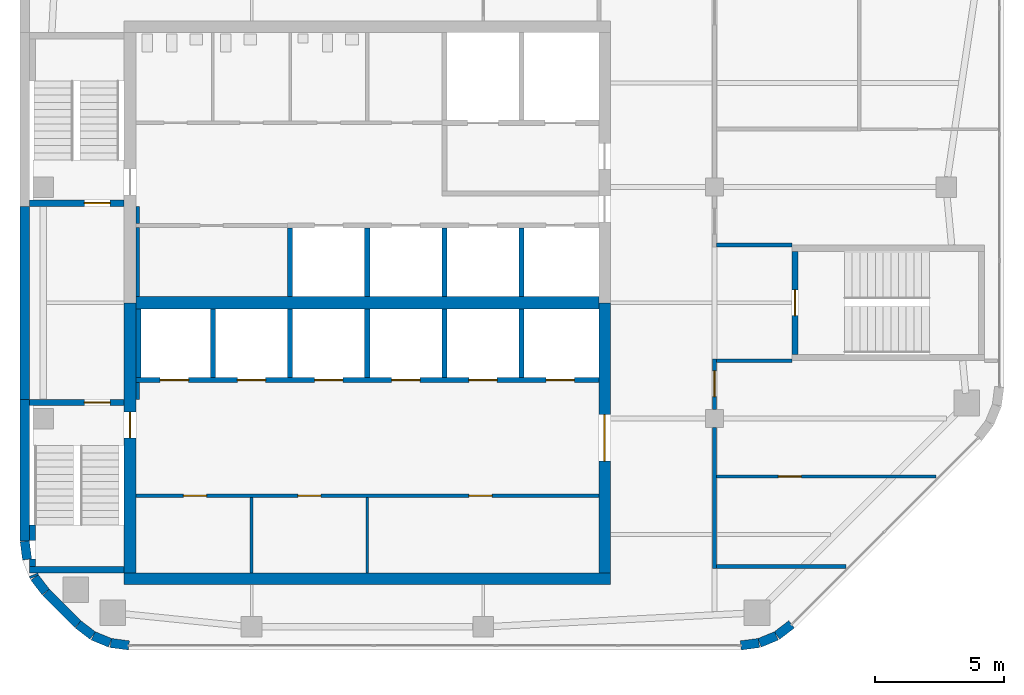
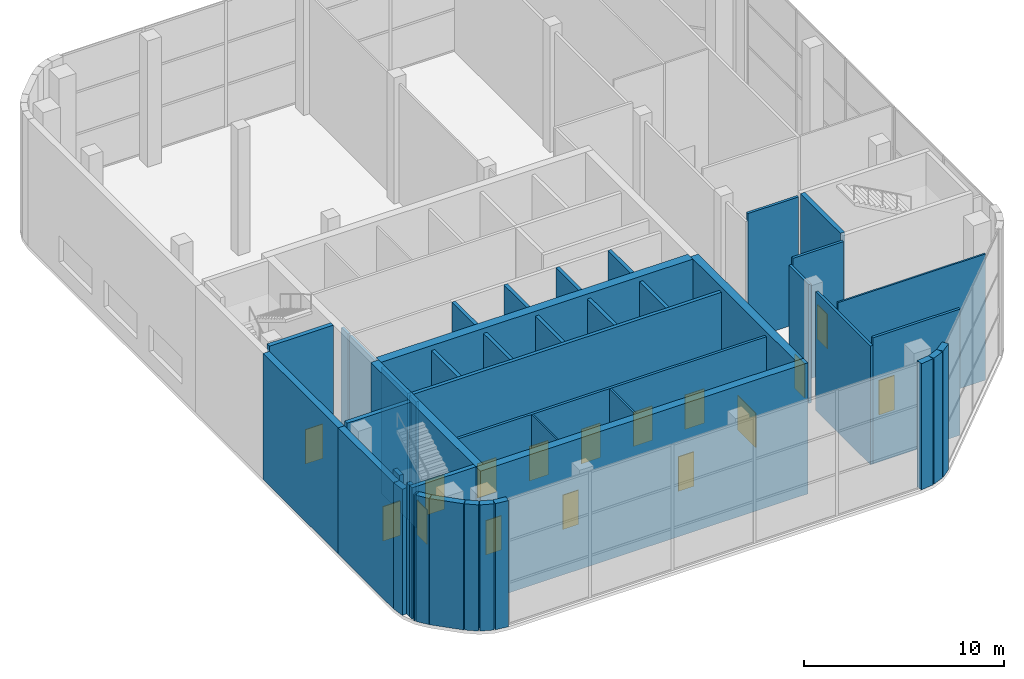
# One storey, part 8 of 12: 45 walls, 16 doors, 16 openings.
"""IFC4 building model written with IfcOpenShell, lengths in metres."""

from ifc_helpers import new_model, si_unit, direction, frame, frame_2d, origin, place, context, subcontext, project, spatial, rectangle, extrude, material, layer, layer_set, type_object, element, fill, save


model = new_model("IFC4")

# Units and contexts
model_context = context("Model", 3, precision=1e-05, world=origin(), true_north=direction((0.0, 1.0)))
body_context = subcontext(model_context, "Body", "Model", "MODEL_VIEW")
ifc_project = project(units=[si_unit("LENGTHUNIT", "METRE"), si_unit("AREAUNIT", "SQUARE_METRE"), si_unit("VOLUMEUNIT", "CUBIC_METRE"), si_unit("PLANEANGLEUNIT", "RADIAN"), si_unit("MASSUNIT", "GRAM", prefix="KILO")], contexts=[model_context])

# Site, building, storey
site_placement = place(None, origin())
site = spatial("IfcSite", under=ifc_project, at=site_placement, CompositionType="ELEMENT")
building_placement = place(site_placement, origin())
building = spatial("IfcBuilding", under=site, at=building_placement, Name="Cinnabar Reach Civic Tower", CompositionType="ELEMENT")
storey_placement = place(building_placement, frame((0.0, 0.0, 283.0)))
storey = spatial("IfcBuildingStorey", under=building, at=storey_placement, Name="L68", CompositionType="ELEMENT", Elevation=283.0)

# Walls
ifc_material_1 = material(Name="Facing brick with insulated backing", Category="masonry")
ifc_layer_1 = layer(ifc_material_1, 0.36)
ifc_layer_set_1 = layer_set([ifc_layer_1], Name="Brick corner wall")
wall_type_1 = type_object("IfcWallType", Name="Brick corner wall", PredefinedType="STANDARD", material=ifc_layer_set_1)
for number, where, z_axis, x_axis, name in (
    (1, (28.0186, 18.183, 0.0), (0.0, 0.0, 1.0), (0.99144092581, 0.13055608231, 0.0), "Brick corner wall"),
    (2, (28.7473, 18.2819, 0.0), (0.0, 0.0, 1.0), (0.923871547278, 0.382702709855, 0.0), "Brick corner wall"),
):
    element("IfcWall", number, at=place(storey_placement, frame(where, z_axis=z_axis, x_axis=x_axis)), inside=storey, type_object=wall_type_1, Name=name, PredefinedType="STANDARD", context=body_context, shape_type="SweptSolid", body=[
        extrude(rectangle(XDim=0.7131, YDim=0.36, at=frame_2d((0.3565, 0.0))), origin(), (0.0, 0.0, 1.0), 7.7),
    ])
wall_1_placement = place(storey_placement, frame((29.4255, 18.566, 0.0), z_axis=(0.0, 0.0, 1.0), x_axis=(0.793321924995, 0.608802368033, 0.0)))
element("IfcWall", 3, at=wall_1_placement, inside=storey, type_object=wall_type_1, Name="Brick corner wall", PredefinedType="STANDARD", context=body_context, shape_type="SweptSolid", body=[
    extrude(rectangle(XDim=0.7132, YDim=0.36, at=frame_2d((0.3566, 0.0))), origin(), (0.0, 0.0, 1.0), 7.7),
])
wall_2_placement = place(storey_placement, frame((0.183, 22.2314, 0.0), z_axis=(0.0, 0.0, 1.0), x_axis=(0.13055608231, -0.99144092581, 0.0)))
element("IfcWall", 4, at=wall_2_placement, inside=storey, type_object=wall_type_1, Name="Brick corner wall", PredefinedType="STANDARD", context=body_context, shape_type="SweptSolid", body=[
    extrude(rectangle(XDim=0.7131, YDim=0.36, at=frame_2d((0.3565, 0.0))), origin(), (0.0, 0.0, 1.0), 7.7),
])
wall_3_placement = place(storey_placement, frame((0.5206, 20.9265, 0.0), z_axis=(0.0, 0.0, 1.0), x_axis=(0.382549378284, -0.923935048136, 0.0)))
element("IfcWall", 5, at=wall_3_placement, inside=storey, type_object=wall_type_1, Name="Brick corner wall", PredefinedType="STANDARD", context=body_context, shape_type="SweptSolid", body=[
    extrude(rectangle(XDim=0.0894, YDim=0.36, at=frame_2d((0.0447, 0.0))), origin(), (0.0, 0.0, 1.0), 7.7),
])
for number, where, z_axis, x_axis, name in (
    (6, (0.566, 20.8245, 0.0), (0.0, 0.0, 1.0), (0.608802368033, -0.793321924995, 0.0), "Brick corner wall"),
    (7, (2.2587, 19.0002, 0.0), (0.0, 0.0, 1.0), (0.793321924995, -0.608802368033, 0.0), "Brick corner wall"),
):
    element("IfcWall", number, at=place(storey_placement, frame(where, z_axis=z_axis, x_axis=x_axis)), inside=storey, type_object=wall_type_1, Name=name, PredefinedType="STANDARD", context=body_context, shape_type="SweptSolid", body=[
        extrude(rectangle(XDim=0.7132, YDim=0.36, at=frame_2d((0.3566, 0.0))), origin(), (0.0, 0.0, 1.0), 7.7),
    ])
for number, where, z_axis, x_axis, name in (
    (8, (2.8439, 18.5548, 0.0), (0.0, 0.0, 1.0), (0.923871547278, -0.382702709855, 0.0), "Brick corner wall"),
    (9, (3.5244, 18.2761, 0.0), (0.0, 0.0, 1.0), (0.99144092581, -0.13055608231, 0.0), "Brick corner wall"),
):
    element("IfcWall", number, at=place(storey_placement, frame(where, z_axis=z_axis, x_axis=x_axis)), inside=storey, type_object=wall_type_1, Name=name, PredefinedType="STANDARD", context=body_context, shape_type="SweptSolid", body=[
        extrude(rectangle(XDim=0.7131, YDim=0.36, at=frame_2d((0.3565, 0.0))), origin(), (0.0, 0.0, 1.0), 7.7),
    ])
ifc_layer_2 = layer(ifc_material_1, 0.36)
ifc_layer_set_2 = layer_set([ifc_layer_2], Name="Brick pier and spandrel wall")
wall_type_2 = type_object("IfcWallType", Name="Brick pier and spandrel wall", PredefinedType="STANDARD", material=ifc_layer_set_2)
wall_4_placement = place(storey_placement, frame((0.18, 35.25, 0.0), z_axis=(0.0, 0.0, 1.0), x_axis=(0.0, -1.0, 0.0)))
element("IfcWall", 10, at=wall_4_placement, inside=storey, type_object=wall_type_2, Name="Brick facade wall", PredefinedType="STANDARD", context=body_context, shape_type="SweptSolid", body=[
    extrude(rectangle(XDim=7.5, YDim=0.36, at=frame_2d((3.75, 0.0))), origin(), (0.0, 0.0, 1.0), 7.7),
])
wall_5_placement = place(storey_placement, frame((0.18, 27.75, 0.0), z_axis=(0.0, 0.0, 1.0), x_axis=(0.0, -1.0, 0.0)))
element("IfcWall", 11, at=wall_5_placement, inside=storey, type_object=wall_type_2, Name="Brick facade wall", PredefinedType="STANDARD", context=body_context, shape_type="SweptSolid", body=[
    extrude(rectangle(XDim=5.5074, YDim=0.36, at=frame_2d((2.7537, 0.0))), origin(), (0.0, 0.0, 1.0), 7.7),
])
wall_6_placement = place(storey_placement, frame((1.006, 20.2486, 0.0), z_axis=(0.0, 0.0, 1.0), x_axis=(0.707106781187, -0.707106781187, 0.0)))
element("IfcWall", 12, at=wall_6_placement, inside=storey, type_object=wall_type_2, Name="Brick facade wall", PredefinedType="STANDARD", context=body_context, shape_type="SweptSolid", body=[
    extrude(rectangle(XDim=1.7573, YDim=0.36, at=frame_2d((0.8787, 0.0))), origin(), (0.0, 0.0, 1.0), 7.7),
])
ifc_material_2 = material(Name="Concrete C60", Category="concrete")
ifc_layer_3 = layer(ifc_material_2, 0.45)
ifc_layer_set_3 = layer_set([ifc_layer_3], Name="Core wall 450 EI 180")
wall_type_3 = type_object("IfcWallType", Name="Core wall 450 EI 180", PredefinedType="SOLIDWALL", material=ifc_layer_set_3)
wall_7_placement = place(storey_placement, frame((4.05, 20.775, 0.0), z_axis=(0.0, 0.0, 1.0), x_axis=(1.0, 0.0, 0.0)))
element("IfcWall", 13, at=wall_7_placement, inside=storey, type_object=wall_type_3, Name="Core wall T1 L68 S", PredefinedType="SOLIDWALL", context=body_context, shape_type="SweptSolid", body=[
    extrude(rectangle(XDim=18.9, YDim=0.45, at=frame_2d((9.45, 0.0))), origin(), (0.0, 0.0, 1.0), 8.0),
])

# Wall, opening, door
wall_8_placement = place(storey_placement, frame((22.725, 21.0, 0.0), z_axis=(0.0, 0.0, 1.0), x_axis=(0.0, 1.0, 0.0)))
wall_8 = element("IfcWall", 14, at=wall_8_placement, inside=storey, type_object=wall_type_3, Name="Core wall T1 L68 E", PredefinedType="SOLIDWALL", context=body_context, shape_type="SweptSolid", body=[
    extrude(rectangle(XDim=10.5, YDim=0.45, at=frame_2d((5.25, 0.0))), origin(), (0.0, 0.0, 1.0), 8.0),
])
opening_1_placement = place(wall_8_placement, frame((4.35, 0.0, 0.0)))
opening_1 = element("IfcOpeningElement", 15, at=opening_1_placement, cuts=wall_8, Name="Opening D5710", PredefinedType="OPENING", context=body_context, shape_type="SweptSolid", body=[
    extrude(rectangle(XDim=1.8, YDim=2.1, at=frame_2d((0.9, 1.05))), frame((0.0, 0.235, 0.0), z_axis=(0.0, -1.0, 0.0), x_axis=(1.0, 0.0, 0.0)), (0.0, 0.0, 1.0), 0.47),
])
ifc_material_3 = material(Name="Timber door leaf in steel frame", Category="steel")
door_type_1 = type_object("IfcDoorType", Name="Double swing door 1800 x 2100 T1", OperationType="DOUBLE_DOOR_DOUBLE_SWING", PredefinedType="DOOR", material=ifc_material_3)
door_1_placement = place(opening_1_placement, origin())
door_1 = element("IfcDoor", 16, at=door_1_placement, inside=storey, type_object=door_type_1, Name="Door D5710", OperationType="DOUBLE_DOOR_DOUBLE_SWING", OverallHeight=2.1, OverallWidth=1.8, PredefinedType="DOOR", context=body_context, shape_type="SweptSolid", body=[
    extrude(rectangle(XDim=1.8, YDim=2.1, at=frame_2d((0.9, 1.05))), frame((0.0, 0.025, 0.0), z_axis=(0.0, -1.0, 0.0), x_axis=(1.0, 0.0, 0.0)), (0.0, 0.0, 1.0), 0.05),
])
fill(opening_1, door_1)

wall_9_placement = place(storey_placement, frame((4.275, 31.5, 0.0), z_axis=(0.0, 0.0, 1.0), x_axis=(0.0, -1.0, 0.0)))
wall_9 = element("IfcWall", 17, at=wall_9_placement, inside=storey, type_object=wall_type_3, Name="Core wall T1 L68 W2", PredefinedType="SOLIDWALL", context=body_context, shape_type="SweptSolid", body=[
    extrude(rectangle(XDim=10.5, YDim=0.45, at=frame_2d((5.25, 0.0))), origin(), (0.0, 0.0, 1.0), 8.0),
])
opening_2_placement = place(wall_9_placement, frame((4.25, 0.0, 0.0)))
opening_2 = element("IfcOpeningElement", 18, at=opening_2_placement, cuts=wall_9, Name="Opening D5694", PredefinedType="OPENING", context=body_context, shape_type="SweptSolid", body=[
    extrude(rectangle(XDim=1.0, YDim=2.1, at=frame_2d((0.5, 1.05))), frame((0.0, 0.235, 0.0), z_axis=(0.0, -1.0, 0.0), x_axis=(1.0, 0.0, 0.0)), (0.0, 0.0, 1.0), 0.47),
])
door_type_2 = type_object("IfcDoorType", Name="Stair door 1000 x 2100 T1", OperationType="SINGLE_SWING_LEFT", PredefinedType="DOOR", material=ifc_material_3)
door_2_placement = place(opening_2_placement, frame((1.0, 0.0, 0.0), z_axis=(0.0, 0.0, 1.0), x_axis=(-1.0, 0.0, 0.0)))
door_2 = element("IfcDoor", 19, at=door_2_placement, inside=storey, type_object=door_type_2, Name="Door D5694", OperationType="SINGLE_SWING_RIGHT", OverallHeight=2.1, OverallWidth=1.0, PredefinedType="DOOR", context=body_context, shape_type="SweptSolid", body=[
    extrude(rectangle(XDim=1.0, YDim=2.1, at=frame_2d((0.5, 1.05))), frame((0.0, 0.025, 0.0), z_axis=(0.0, -1.0, 0.0), x_axis=(1.0, 0.0, 0.0)), (0.0, 0.0, 1.0), 0.05),
])
fill(opening_2, door_2)

# Wall
ifc_layer_4 = layer(ifc_material_2, 0.5)
ifc_layer_set_4 = layer_set([ifc_layer_4], Name="Core wall 500 EI 180")
wall_type_4 = type_object("IfcWallType", Name="Core wall 500 EI 180", PredefinedType="SOLIDWALL", material=ifc_layer_set_4)
wall_10_placement = place(storey_placement, frame((4.5, 31.5, 0.0), z_axis=(0.0, 0.0, 1.0), x_axis=(1.0, 0.0, 0.0)))
element("IfcWall", 20, at=wall_10_placement, inside=storey, type_object=wall_type_4, Name="Core spine wall T1 L68", PredefinedType="SOLIDWALL", context=body_context, shape_type="SweptSolid", body=[
    extrude(rectangle(XDim=18.0, YDim=0.5, at=frame_2d((9.0, 0.0))), origin(), (0.0, 0.0, 1.0), 8.0),
])

# Wall, openings, doors
ifc_material_4 = material(Name="Gypsum board on steel studs, double layer", Category="steel")
ifc_layer_5 = layer(ifc_material_4, 0.15)
ifc_layer_set_5 = layer_set([ifc_layer_5], Name="Corridor wall 150 T1")
wall_type_5 = type_object("IfcWallType", Name="Corridor wall 150 T1", PredefinedType="PARTITIONING", material=ifc_layer_set_5)
wall_11_placement = place(storey_placement, frame((4.5, 24.0, 0.0), z_axis=(0.0, 0.0, 1.0), x_axis=(1.0, 0.0, 0.0)))
wall_11 = element("IfcWall", 21, at=wall_11_placement, inside=storey, type_object=wall_type_5, Name="Corridor wall 18", PredefinedType="PARTITIONING", context=body_context, shape_type="SweptSolid", body=[
    extrude(rectangle(XDim=18.0, YDim=0.15, at=frame_2d((9.0, 0.0))), origin(), (0.0, 0.0, 1.0), 7.7),
])
opening_3_placement = place(wall_11_placement, frame((1.85, 0.0, 0.0)))
opening_3 = element("IfcOpeningElement", 22, at=opening_3_placement, cuts=wall_11, Name="Opening D5714", PredefinedType="OPENING", context=body_context, shape_type="SweptSolid", body=[
    extrude(rectangle(XDim=0.9, YDim=2.1, at=frame_2d((0.45, 1.05))), frame((0.0, 0.085, 0.0), z_axis=(0.0, -1.0, 0.0), x_axis=(1.0, 0.0, 0.0)), (0.0, 0.0, 1.0), 0.17),
])
opening_4_placement = place(wall_11_placement, frame((6.3, 0.0, 0.0)))
opening_4 = element("IfcOpeningElement", 23, at=opening_4_placement, cuts=wall_11, Name="Opening D5715", PredefinedType="OPENING", context=body_context, shape_type="SweptSolid", body=[
    extrude(rectangle(XDim=0.9, YDim=2.1, at=frame_2d((0.45, 1.05))), frame((0.0, 0.085, 0.0), z_axis=(0.0, -1.0, 0.0), x_axis=(1.0, 0.0, 0.0)), (0.0, 0.0, 1.0), 0.17),
])
opening_5_placement = place(wall_11_placement, frame((12.95, 0.0, 0.0)))
opening_5 = element("IfcOpeningElement", 24, at=opening_5_placement, cuts=wall_11, Name="Opening D5716", PredefinedType="OPENING", context=body_context, shape_type="SweptSolid", body=[
    extrude(rectangle(XDim=0.9, YDim=2.1, at=frame_2d((0.45, 1.05))), frame((0.0, 0.085, 0.0), z_axis=(0.0, -1.0, 0.0), x_axis=(1.0, 0.0, 0.0)), (0.0, 0.0, 1.0), 0.17),
])
door_type_3 = type_object("IfcDoorType", Name="Single swing door 900 x 2100 corridor T1", OperationType="SINGLE_SWING_LEFT", PredefinedType="DOOR", material=ifc_material_3)
door_3_placement = place(opening_3_placement, frame((0.9, 0.0, 0.0), z_axis=(0.0, 0.0, 1.0), x_axis=(-1.0, 0.0, 0.0)))
door_3 = element("IfcDoor", 25, at=door_3_placement, inside=storey, type_object=door_type_3, Name="Door D5714", OperationType="SINGLE_SWING_RIGHT", OverallHeight=2.1, OverallWidth=0.9, PredefinedType="DOOR", context=body_context, shape_type="SweptSolid", body=[
    extrude(rectangle(XDim=0.9, YDim=2.1, at=frame_2d((0.45, 1.05))), frame((0.0, 0.025, 0.0), z_axis=(0.0, -1.0, 0.0), x_axis=(1.0, 0.0, 0.0)), (0.0, 0.0, 1.0), 0.05),
])
fill(opening_3, door_3)
door_4_placement = place(opening_4_placement, frame((0.9, 0.0, 0.0), z_axis=(0.0, 0.0, 1.0), x_axis=(-1.0, 0.0, 0.0)))
door_4 = element("IfcDoor", 26, at=door_4_placement, inside=storey, type_object=door_type_3, Name="Door D5715", OperationType="SINGLE_SWING_LEFT", OverallHeight=2.1, OverallWidth=0.9, PredefinedType="DOOR", context=body_context, shape_type="SweptSolid", body=[
    extrude(rectangle(XDim=0.9, YDim=2.1, at=frame_2d((0.45, 1.05))), frame((0.0, 0.025, 0.0), z_axis=(0.0, -1.0, 0.0), x_axis=(1.0, 0.0, 0.0)), (0.0, 0.0, 1.0), 0.05),
])
fill(opening_4, door_4)
door_5_placement = place(opening_5_placement, frame((0.9, 0.0, 0.0), z_axis=(0.0, 0.0, 1.0), x_axis=(-1.0, 0.0, 0.0)))
door_5 = element("IfcDoor", 27, at=door_5_placement, inside=storey, type_object=door_type_3, Name="Door D5716", OperationType="SINGLE_SWING_RIGHT", OverallHeight=2.1, OverallWidth=0.9, PredefinedType="DOOR", context=body_context, shape_type="SweptSolid", body=[
    extrude(rectangle(XDim=0.9, YDim=2.1, at=frame_2d((0.45, 1.05))), frame((0.0, 0.025, 0.0), z_axis=(0.0, -1.0, 0.0), x_axis=(1.0, 0.0, 0.0)), (0.0, 0.0, 1.0), 0.05),
])
fill(opening_5, door_5)

# Wall
wall_12_placement = place(storey_placement, frame((27.0, 21.175, 0.0), z_axis=(0.0, 0.0, 1.0), x_axis=(0.0, 1.0, 0.0)))
element("IfcWall", 28, at=wall_12_placement, inside=storey, type_object=wall_type_5, Name="Corridor wall 23", PredefinedType="PARTITIONING", context=body_context, shape_type="SweptSolid", body=[
    extrude(rectangle(XDim=5.475, YDim=0.15, at=frame_2d((2.7375, 0.0))), origin(), (0.0, 0.0, 1.0), 7.25),
])

# Wall, opening, door
wall_13_placement = place(storey_placement, frame((27.0, 27.35, 0.0), z_axis=(0.0, 0.0, 1.0), x_axis=(0.0, 1.0, 0.0)))
wall_13 = element("IfcWall", 29, at=wall_13_placement, inside=storey, type_object=wall_type_5, Name="Corridor wall 24", PredefinedType="PARTITIONING", context=body_context, shape_type="SweptSolid", body=[
    extrude(rectangle(XDim=1.975, YDim=0.15, at=frame_2d((0.9875, 0.0))), origin(), (0.0, 0.0, 1.0), 7.25),
])
opening_6_placement = place(wall_13_placement, frame((0.5, 0.0, 0.0)))
opening_6 = element("IfcOpeningElement", 30, at=opening_6_placement, cuts=wall_13, Name="Opening D5727", PredefinedType="OPENING", context=body_context, shape_type="SweptSolid", body=[
    extrude(rectangle(XDim=1.0, YDim=2.1, at=frame_2d((0.5, 1.05))), frame((0.0, 0.085, 0.0), z_axis=(0.0, -1.0, 0.0), x_axis=(1.0, 0.0, 0.0)), (0.0, 0.0, 1.0), 0.17),
])
door_type_4 = type_object("IfcDoorType", Name="Tenancy entrance door 1000 x 2100 T1", OperationType="SINGLE_SWING_LEFT", PredefinedType="DOOR", material=ifc_material_3)
door_6_placement = place(opening_6_placement, frame((1.0, 0.0, 0.0), z_axis=(0.0, 0.0, 1.0), x_axis=(-1.0, 0.0, 0.0)))
door_6 = element("IfcDoor", 31, at=door_6_placement, inside=storey, type_object=door_type_4, Name="Door D5727", OperationType="SINGLE_SWING_LEFT", OverallHeight=2.1, OverallWidth=1.0, PredefinedType="DOOR", context=body_context, shape_type="SweptSolid", body=[
    extrude(rectangle(XDim=1.0, YDim=2.1, at=frame_2d((0.5, 1.05))), frame((0.0, 0.025, 0.0), z_axis=(0.0, -1.0, 0.0), x_axis=(1.0, 0.0, 0.0)), (0.0, 0.0, 1.0), 0.05),
])
fill(opening_6, door_6)

# Walls
wall_14_placement = place(storey_placement, frame((27.075, 21.25, 0.0), z_axis=(0.0, 0.0, 1.0), x_axis=(1.0, 0.0, 0.0)))
element("IfcWall", 32, at=wall_14_placement, inside=storey, type_object=wall_type_5, Name="Corridor wall 26", PredefinedType="PARTITIONING", context=body_context, shape_type="SweptSolid", body=[
    extrude(rectangle(XDim=5.0259, YDim=0.15, at=frame_2d((2.513, 0.0))), origin(), (0.0, 0.0, 1.0), 7.7),
])
wall_15_placement = place(storey_placement, frame((4.575, 34.575, 0.0), z_axis=(0.0, 0.0, 1.0), x_axis=(0.0, 1.0, 0.0)))
element("IfcWall", 33, at=wall_15_placement, inside=storey, type_object=wall_type_5, Name="Corridor wall 28", PredefinedType="PARTITIONING", context=body_context, shape_type="SweptSolid", body=[
    extrude(rectangle(XDim=0.675, YDim=0.15, at=frame_2d((0.3375, 0.0))), origin(), (0.0, 0.0, 1.0), 7.7),
])
wall_16_placement = place(storey_placement, frame((4.575, 31.75, 0.0), z_axis=(0.0, 0.0, 1.0), x_axis=(0.0, 1.0, 0.0)))
element("IfcWall", 34, at=wall_16_placement, inside=storey, type_object=wall_type_5, Name="Corridor wall 29", PredefinedType="PARTITIONING", context=body_context, shape_type="SweptSolid", body=[
    extrude(rectangle(XDim=2.675, YDim=0.15, at=frame_2d((1.3375, 0.0))), origin(), (0.0, 0.0, 1.0), 7.7),
])
for number, where, z_axis, x_axis, name in (
    (35, (27.075, 29.25, 0.0), (0.0, 0.0, 1.0), (1.0, 0.0, 0.0), "Corridor wall 30"),
    (36, (27.075, 33.75, 0.0), (0.0, 0.0, 1.0), (1.0, 0.0, 0.0), "Corridor wall 31"),
):
    element("IfcWall", number, at=place(storey_placement, frame(where, z_axis=z_axis, x_axis=x_axis)), inside=storey, type_object=wall_type_5, Name=name, PredefinedType="PARTITIONING", context=body_context, shape_type="SweptSolid", body=[
        extrude(rectangle(XDim=2.925, YDim=0.15, at=frame_2d((1.4625, 0.0))), origin(), (0.0, 0.0, 1.0), 7.7),
    ])
wall_17_placement = place(storey_placement, frame((4.575, 27.75, 0.0), z_axis=(0.0, 0.0, 1.0), x_axis=(0.0, 1.0, 0.0)))
element("IfcWall", 37, at=wall_17_placement, inside=storey, type_object=wall_type_5, Name="Corridor wall 33", PredefinedType="PARTITIONING", context=body_context, shape_type="SweptSolid", body=[
    extrude(rectangle(XDim=0.65, YDim=0.15, at=frame_2d((0.325, 0.0))), origin(), (0.0, 0.0, 1.0), 7.7),
])

# Wall, openings, doors
ifc_material_5 = material(Name="Blockwork", Category="masonry")
ifc_layer_6 = layer(ifc_material_5, 0.2)
ifc_layer_set_6 = layer_set([ifc_layer_6], Name="Lift shaft wall 200 T1")
wall_type_6 = type_object("IfcWallType", Name="Lift shaft wall 200 T1", PredefinedType="PARTITIONING", material=ifc_layer_set_6)
wall_18_placement = place(storey_placement, frame((4.5, 28.5, 0.0), z_axis=(0.0, 0.0, 1.0), x_axis=(1.0, 0.0, 0.0)))
wall_18 = element("IfcWall", 38, at=wall_18_placement, inside=storey, type_object=wall_type_6, Name="Lift shaft wall 4", PredefinedType="PARTITIONING", context=body_context, shape_type="SweptSolid", body=[
    extrude(rectangle(XDim=18.0, YDim=0.2, at=frame_2d((9.0, 0.0))), origin(), (0.0, 0.0, 1.0), 7.7),
])
opening_7_placement = place(wall_18_placement, frame((0.95, 0.0, 0.0)))
opening_7 = element("IfcOpeningElement", 39, at=opening_7_placement, cuts=wall_18, Name="Opening D5698", PredefinedType="OPENING", context=body_context, shape_type="SweptSolid", body=[
    extrude(rectangle(XDim=1.1, YDim=2.1, at=frame_2d((0.55, 1.05))), frame((0.0, 0.11, 0.0), z_axis=(0.0, -1.0, 0.0), x_axis=(1.0, 0.0, 0.0)), (0.0, 0.0, 1.0), 0.22),
])
opening_8_placement = place(wall_18_placement, frame((3.95, 0.0, 0.0)))
opening_8 = element("IfcOpeningElement", 40, at=opening_8_placement, cuts=wall_18, Name="Opening D5699", PredefinedType="OPENING", context=body_context, shape_type="SweptSolid", body=[
    extrude(rectangle(XDim=1.1, YDim=2.1, at=frame_2d((0.55, 1.05))), frame((0.0, 0.11, 0.0), z_axis=(0.0, -1.0, 0.0), x_axis=(1.0, 0.0, 0.0)), (0.0, 0.0, 1.0), 0.22),
])
opening_9_placement = place(wall_18_placement, frame((6.95, 0.0, 0.0)))
opening_9 = element("IfcOpeningElement", 41, at=opening_9_placement, cuts=wall_18, Name="Opening D5700", PredefinedType="OPENING", context=body_context, shape_type="SweptSolid", body=[
    extrude(rectangle(XDim=1.1, YDim=2.1, at=frame_2d((0.55, 1.05))), frame((0.0, 0.11, 0.0), z_axis=(0.0, -1.0, 0.0), x_axis=(1.0, 0.0, 0.0)), (0.0, 0.0, 1.0), 0.22),
])
opening_10_placement = place(wall_18_placement, frame((9.95, 0.0, 0.0)))
opening_10 = element("IfcOpeningElement", 42, at=opening_10_placement, cuts=wall_18, Name="Opening D5701", PredefinedType="OPENING", context=body_context, shape_type="SweptSolid", body=[
    extrude(rectangle(XDim=1.1, YDim=2.1, at=frame_2d((0.55, 1.05))), frame((0.0, 0.11, 0.0), z_axis=(0.0, -1.0, 0.0), x_axis=(1.0, 0.0, 0.0)), (0.0, 0.0, 1.0), 0.22),
])
opening_11_placement = place(wall_18_placement, frame((12.95, 0.0, 0.0)))
opening_11 = element("IfcOpeningElement", 43, at=opening_11_placement, cuts=wall_18, Name="Opening D5702", PredefinedType="OPENING", context=body_context, shape_type="SweptSolid", body=[
    extrude(rectangle(XDim=1.1, YDim=2.1, at=frame_2d((0.55, 1.05))), frame((0.0, 0.11, 0.0), z_axis=(0.0, -1.0, 0.0), x_axis=(1.0, 0.0, 0.0)), (0.0, 0.0, 1.0), 0.22),
])
opening_12_placement = place(wall_18_placement, frame((15.95, 0.0, 0.0)))
opening_12 = element("IfcOpeningElement", 44, at=opening_12_placement, cuts=wall_18, Name="Opening D5703", PredefinedType="OPENING", context=body_context, shape_type="SweptSolid", body=[
    extrude(rectangle(XDim=1.1, YDim=2.1, at=frame_2d((0.55, 1.05))), frame((0.0, 0.11, 0.0), z_axis=(0.0, -1.0, 0.0), x_axis=(1.0, 0.0, 0.0)), (0.0, 0.0, 1.0), 0.22),
])
ifc_material_6 = material(Name="Stainless steel sliding door", Category="steel")
door_type_5 = type_object("IfcDoorType", Name="Lift landing door 1100 x 2100 T1", OperationType="SLIDING_TO_LEFT", PredefinedType="DOOR", material=ifc_material_6)
door_7_placement = place(opening_7_placement, origin())
door_7 = element("IfcDoor", 45, at=door_7_placement, inside=storey, type_object=door_type_5, Name="Lift landing door HR1 L68", OperationType="SLIDING_TO_LEFT", OverallHeight=2.1, OverallWidth=1.1, PredefinedType="DOOR", context=body_context, shape_type="SweptSolid", body=[
    extrude(rectangle(XDim=1.1, YDim=2.1, at=frame_2d((0.55, 1.05))), frame((0.0, 0.025, 0.0), z_axis=(0.0, -1.0, 0.0), x_axis=(1.0, 0.0, 0.0)), (0.0, 0.0, 1.0), 0.05),
])
fill(opening_7, door_7)
door_8_placement = place(opening_8_placement, origin())
door_8 = element("IfcDoor", 46, at=door_8_placement, inside=storey, type_object=door_type_5, Name="Lift landing door HR2 L68", OperationType="SLIDING_TO_LEFT", OverallHeight=2.1, OverallWidth=1.1, PredefinedType="DOOR", context=body_context, shape_type="SweptSolid", body=[
    extrude(rectangle(XDim=1.1, YDim=2.1, at=frame_2d((0.55, 1.05))), frame((0.0, 0.025, 0.0), z_axis=(0.0, -1.0, 0.0), x_axis=(1.0, 0.0, 0.0)), (0.0, 0.0, 1.0), 0.05),
])
fill(opening_8, door_8)
door_9_placement = place(opening_9_placement, origin())
door_9 = element("IfcDoor", 47, at=door_9_placement, inside=storey, type_object=door_type_5, Name="Lift landing door HR3 L68", OperationType="SLIDING_TO_LEFT", OverallHeight=2.1, OverallWidth=1.1, PredefinedType="DOOR", context=body_context, shape_type="SweptSolid", body=[
    extrude(rectangle(XDim=1.1, YDim=2.1, at=frame_2d((0.55, 1.05))), frame((0.0, 0.025, 0.0), z_axis=(0.0, -1.0, 0.0), x_axis=(1.0, 0.0, 0.0)), (0.0, 0.0, 1.0), 0.05),
])
fill(opening_9, door_9)
door_10_placement = place(opening_10_placement, origin())
door_10 = element("IfcDoor", 48, at=door_10_placement, inside=storey, type_object=door_type_5, Name="Lift landing door HR4 L68", OperationType="SLIDING_TO_LEFT", OverallHeight=2.1, OverallWidth=1.1, PredefinedType="DOOR", context=body_context, shape_type="SweptSolid", body=[
    extrude(rectangle(XDim=1.1, YDim=2.1, at=frame_2d((0.55, 1.05))), frame((0.0, 0.025, 0.0), z_axis=(0.0, -1.0, 0.0), x_axis=(1.0, 0.0, 0.0)), (0.0, 0.0, 1.0), 0.05),
])
fill(opening_10, door_10)
door_11_placement = place(opening_11_placement, origin())
door_11 = element("IfcDoor", 49, at=door_11_placement, inside=storey, type_object=door_type_5, Name="Lift landing door HR5 L68", OperationType="SLIDING_TO_LEFT", OverallHeight=2.1, OverallWidth=1.1, PredefinedType="DOOR", context=body_context, shape_type="SweptSolid", body=[
    extrude(rectangle(XDim=1.1, YDim=2.1, at=frame_2d((0.55, 1.05))), frame((0.0, 0.025, 0.0), z_axis=(0.0, -1.0, 0.0), x_axis=(1.0, 0.0, 0.0)), (0.0, 0.0, 1.0), 0.05),
])
fill(opening_11, door_11)
door_12_placement = place(opening_12_placement, origin())
door_12 = element("IfcDoor", 50, at=door_12_placement, inside=storey, type_object=door_type_5, Name="Lift landing door HR6 L68", OperationType="SLIDING_TO_LEFT", OverallHeight=2.1, OverallWidth=1.1, PredefinedType="DOOR", context=body_context, shape_type="SweptSolid", body=[
    extrude(rectangle(XDim=1.1, YDim=2.1, at=frame_2d((0.55, 1.05))), frame((0.0, 0.025, 0.0), z_axis=(0.0, -1.0, 0.0), x_axis=(1.0, 0.0, 0.0)), (0.0, 0.0, 1.0), 0.05),
])
fill(opening_12, door_12)

# Walls
for number, where, z_axis, x_axis, name in (
    (51, (10.5, 28.6, 0.0), (0.0, 0.0, 1.0), (0.0, 1.0, 0.0), "Lift shaft wall 6"),
    (52, (10.5, 31.75, 0.0), (0.0, 0.0, 1.0), (0.0, 1.0, 0.0), "Lift shaft wall 7"),
    (53, (13.5, 28.6, 0.0), (0.0, 0.0, 1.0), (0.0, 1.0, 0.0), "Lift shaft wall 8"),
    (54, (13.5, 31.75, 0.0), (0.0, 0.0, 1.0), (0.0, 1.0, 0.0), "Lift shaft wall 9"),
    (55, (16.5, 28.6, 0.0), (0.0, 0.0, 1.0), (0.0, 1.0, 0.0), "Lift shaft wall 10"),
    (56, (16.5, 31.75, 0.0), (0.0, 0.0, 1.0), (0.0, 1.0, 0.0), "Lift shaft wall 11"),
    (57, (19.5, 28.6, 0.0), (0.0, 0.0, 1.0), (0.0, 1.0, 0.0), "Lift shaft wall 12"),
    (58, (19.5, 31.75, 0.0), (0.0, 0.0, 1.0), (0.0, 1.0, 0.0), "Lift shaft wall 13"),
    (59, (4.6, 28.6, 0.0), (0.0, 0.0, 1.0), (0.0, 1.0, 0.0), "Lift shaft wall 16"),
    (60, (7.5, 28.6, 0.0), (0.0, 0.0, 1.0), (0.0, 1.0, 0.0), "Lift shaft wall 17"),
):
    element("IfcWall", number, at=place(storey_placement, frame(where, z_axis=z_axis, x_axis=x_axis)), inside=storey, type_object=wall_type_6, Name=name, PredefinedType="PARTITIONING", context=body_context, shape_type="SweptSolid", body=[
        extrude(rectangle(XDim=2.65, YDim=0.2, at=frame_2d((1.325, 0.0))), origin(), (0.0, 0.0, 1.0), 7.7),
    ])

# Wall, opening, door
ifc_material_7 = material(Name="Gypsum board on steel studs", Category="steel")
ifc_layer_7 = layer(ifc_material_7, 0.1)
ifc_layer_set_7 = layer_set([ifc_layer_7], Name="Partition wall 100 T1")
wall_type_7 = type_object("IfcWallType", Name="Partition wall 100 T1", PredefinedType="PARTITIONING", material=ifc_layer_set_7)
wall_19_placement = place(storey_placement, frame((27.075, 24.75, 0.0), z_axis=(0.0, 0.0, 1.0), x_axis=(1.0, 0.0, 0.0)))
wall_19 = element("IfcWall", 61, at=wall_19_placement, inside=storey, type_object=wall_type_7, Name="Partition wall 44", PredefinedType="PARTITIONING", context=body_context, shape_type="SweptSolid", body=[
    extrude(rectangle(XDim=8.5259, YDim=0.1, at=frame_2d((4.263, 0.0))), origin(), (0.0, 0.0, 1.0), 7.7),
])
opening_13_placement = place(wall_19_placement, frame((2.4, 0.0, 0.0)))
opening_13 = element("IfcOpeningElement", 62, at=opening_13_placement, cuts=wall_19, Name="Opening D5728", PredefinedType="OPENING", context=body_context, shape_type="SweptSolid", body=[
    extrude(rectangle(XDim=0.9, YDim=2.1, at=frame_2d((0.45, 1.05))), frame((0.0, 0.06, 0.0), z_axis=(0.0, -1.0, 0.0), x_axis=(1.0, 0.0, 0.0)), (0.0, 0.0, 1.0), 0.12),
])
door_type_6 = type_object("IfcDoorType", Name="Single swing door 900 x 2100 T1", OperationType="SINGLE_SWING_LEFT", PredefinedType="DOOR", material=ifc_material_3)
door_13_placement = place(opening_13_placement, frame((0.9, 0.0, 0.0), z_axis=(0.0, 0.0, 1.0), x_axis=(-1.0, 0.0, 0.0)))
door_13 = element("IfcDoor", 63, at=door_13_placement, inside=storey, type_object=door_type_6, Name="Door D5728", OperationType="SINGLE_SWING_LEFT", OverallHeight=2.1, OverallWidth=0.9, PredefinedType="DOOR", context=body_context, shape_type="SweptSolid", body=[
    extrude(rectangle(XDim=0.9, YDim=2.1, at=frame_2d((0.45, 1.05))), frame((0.0, 0.025, 0.0), z_axis=(0.0, -1.0, 0.0), x_axis=(1.0, 0.0, 0.0)), (0.0, 0.0, 1.0), 0.05),
])
fill(opening_13, door_13)

# Walls
for number, where, z_axis, x_axis, name in (
    (64, (9.0, 21.0, 0.0), (0.0, 0.0, 1.0), (0.0, 1.0, 0.0), "Partition wall 50"),
    (65, (13.5, 21.0, 0.0), (0.0, 0.0, 1.0), (0.0, 1.0, 0.0), "Partition wall 51"),
):
    element("IfcWall", number, at=place(storey_placement, frame(where, z_axis=z_axis, x_axis=x_axis)), inside=storey, type_object=wall_type_7, Name=name, PredefinedType="PARTITIONING", context=body_context, shape_type="SweptSolid", body=[
        extrude(rectangle(XDim=2.925, YDim=0.1, at=frame_2d((1.4625, 0.0))), origin(), (0.0, 0.0, 1.0), 7.7),
    ])
ifc_layer_8 = layer(ifc_material_2, 0.25)
ifc_layer_set_8 = layer_set([ifc_layer_8], Name="Stair shaft wall 250 EI 120")
wall_type_8 = type_object("IfcWallType", Name="Stair shaft wall 250 EI 120", PredefinedType="SOLIDWALL", material=ifc_layer_set_8)
wall_20_placement = place(storey_placement, frame((0.36, 21.125, 0.0), z_axis=(0.0, 0.0, 1.0), x_axis=(1.0, 0.0, 0.0)))
element("IfcWall", 66, at=wall_20_placement, inside=storey, type_object=wall_type_8, Name="Stair shaft wall T1-S1 L68", PredefinedType="SOLIDWALL", context=body_context, shape_type="SweptSolid", body=[
    extrude(rectangle(XDim=3.69, YDim=0.25, at=frame_2d((1.845, 0.0))), origin(), (0.0, 0.0, 1.0), 8.0),
])

# Wall, opening, door
wall_21_placement = place(storey_placement, frame((4.05, 27.625, 0.0), z_axis=(0.0, 0.0, 1.0), x_axis=(-1.0, 0.0, 0.0)))
wall_21 = element("IfcWall", 67, at=wall_21_placement, inside=storey, type_object=wall_type_8, Name="Stair shaft wall T1-S1 L68", PredefinedType="SOLIDWALL", context=body_context, shape_type="SweptSolid", body=[
    extrude(rectangle(XDim=3.69, YDim=0.25, at=frame_2d((1.845, 0.0))), origin(), (0.0, 0.0, 1.0), 8.0),
])
opening_14_placement = place(wall_21_placement, frame((0.55, 0.0, 0.0)))
opening_14 = element("IfcOpeningElement", 68, at=opening_14_placement, cuts=wall_21, Name="Opening D5695", PredefinedType="OPENING", context=body_context, shape_type="SweptSolid", body=[
    extrude(rectangle(XDim=1.0, YDim=2.1, at=frame_2d((0.5, 1.05))), frame((0.0, 0.135, 0.0), z_axis=(0.0, -1.0, 0.0), x_axis=(1.0, 0.0, 0.0)), (0.0, 0.0, 1.0), 0.27),
])
door_14_placement = place(opening_14_placement, origin())
door_14 = element("IfcDoor", 69, at=door_14_placement, inside=storey, type_object=door_type_2, Name="Door D5695", OperationType="SINGLE_SWING_LEFT", OverallHeight=2.1, OverallWidth=1.0, PredefinedType="DOOR", context=body_context, shape_type="SweptSolid", body=[
    extrude(rectangle(XDim=1.0, YDim=2.1, at=frame_2d((0.5, 1.05))), frame((0.0, 0.025, 0.0), z_axis=(0.0, -1.0, 0.0), x_axis=(1.0, 0.0, 0.0)), (0.0, 0.0, 1.0), 0.05),
])
fill(opening_14, door_14)

wall_22_placement = place(storey_placement, frame((0.36, 35.375, 0.0), z_axis=(0.0, 0.0, 1.0), x_axis=(1.0, 0.0, 0.0)))
wall_22 = element("IfcWall", 70, at=wall_22_placement, inside=storey, type_object=wall_type_8, Name="Stair shaft wall T1-S2 L68", PredefinedType="SOLIDWALL", context=body_context, shape_type="SweptSolid", body=[
    extrude(rectangle(XDim=3.69, YDim=0.25, at=frame_2d((1.845, 0.0))), origin(), (0.0, 0.0, 1.0), 8.0),
])
opening_15_placement = place(wall_22_placement, frame((2.14, 0.0, 0.0)))
opening_15 = element("IfcOpeningElement", 71, at=opening_15_placement, cuts=wall_22, Name="Opening D5697", PredefinedType="OPENING", context=body_context, shape_type="SweptSolid", body=[
    extrude(rectangle(XDim=1.0, YDim=2.1, at=frame_2d((0.5, 1.05))), frame((0.0, 0.135, 0.0), z_axis=(0.0, -1.0, 0.0), x_axis=(1.0, 0.0, 0.0)), (0.0, 0.0, 1.0), 0.27),
])
door_15_placement = place(opening_15_placement, origin())
door_15 = element("IfcDoor", 72, at=door_15_placement, inside=storey, type_object=door_type_2, Name="Door D5697", OperationType="SINGLE_SWING_RIGHT", OverallHeight=2.1, OverallWidth=1.0, PredefinedType="DOOR", context=body_context, shape_type="SweptSolid", body=[
    extrude(rectangle(XDim=1.0, YDim=2.1, at=frame_2d((0.5, 1.05))), frame((0.0, 0.025, 0.0), z_axis=(0.0, -1.0, 0.0), x_axis=(1.0, 0.0, 0.0)), (0.0, 0.0, 1.0), 0.05),
])
fill(opening_15, door_15)

wall_23_placement = place(storey_placement, frame((30.125, 33.5, 0.0), z_axis=(0.0, 0.0, 1.0), x_axis=(0.0, -1.0, 0.0)))
wall_23 = element("IfcWall", 73, at=wall_23_placement, inside=storey, type_object=wall_type_8, Name="Stair shaft wall T1-S3 L68", PredefinedType="SOLIDWALL", context=body_context, shape_type="SweptSolid", body=[
    extrude(rectangle(XDim=4.0, YDim=0.25, at=frame_2d((2.0, 0.0))), origin(), (0.0, 0.0, 1.0), 8.0),
])
opening_16_placement = place(wall_23_placement, frame((1.5, 0.0, 0.0)))
opening_16 = element("IfcOpeningElement", 74, at=opening_16_placement, cuts=wall_23, Name="Opening D5713", PredefinedType="OPENING", context=body_context, shape_type="SweptSolid", body=[
    extrude(rectangle(XDim=1.0, YDim=2.1, at=frame_2d((0.5, 1.05))), frame((0.0, 0.135, 0.0), z_axis=(0.0, -1.0, 0.0), x_axis=(1.0, 0.0, 0.0)), (0.0, 0.0, 1.0), 0.27),
])
door_16_placement = place(opening_16_placement, origin())
door_16 = element("IfcDoor", 75, at=door_16_placement, inside=storey, type_object=door_type_2, Name="Door D5713", OperationType="SINGLE_SWING_RIGHT", OverallHeight=2.1, OverallWidth=1.0, PredefinedType="DOOR", context=body_context, shape_type="SweptSolid", body=[
    extrude(rectangle(XDim=1.0, YDim=2.1, at=frame_2d((0.5, 1.05))), frame((0.0, 0.025, 0.0), z_axis=(0.0, -1.0, 0.0), x_axis=(1.0, 0.0, 0.0)), (0.0, 0.0, 1.0), 0.05),
])
fill(opening_16, door_16)

# Walls
ifc_material_8 = material(Name="Concrete C40/50", Category="concrete")
ifc_layer_9 = layer(ifc_material_8, 0.24)
ifc_layer_set_9 = layer_set([ifc_layer_9], Name="T1 landing bearer wall 240")
wall_type_9 = type_object("IfcWallType", Name="T1 landing bearer wall 240", PredefinedType="STANDARD", material=ifc_layer_set_9)
wall_24_placement = place(storey_placement, frame((0.48, 21.25, 0.0), z_axis=(0.0, 0.0, 1.0), x_axis=(0.0, 1.0, 0.0)))
element("IfcWall", 76, at=wall_24_placement, inside=storey, type_object=wall_type_9, Name="T1-S1 landing bearer wall", PredefinedType="STANDARD", context=body_context, shape_type="SweptSolid", body=[
    extrude(rectangle(XDim=0.2854, YDim=0.24, at=frame_2d((0.1427, 0.0))), origin(), (0.0, 0.0, 1.0), 8.0),
])
wall_25_placement = place(storey_placement, frame((0.48, 22.2549, 0.0), z_axis=(0.0, 0.0, 1.0), x_axis=(0.0, 1.0, 0.0)))
element("IfcWall", 77, at=wall_25_placement, inside=storey, type_object=wall_type_9, Name="T1-S1 landing bearer wall", PredefinedType="STANDARD", context=body_context, shape_type="SweptSolid", body=[
    extrude(rectangle(XDim=0.6151, YDim=0.24, at=frame_2d((0.3075, 0.0))), origin(), (0.0, 0.0, 1.0), 8.0),
])

save(model, "model.ifc")
